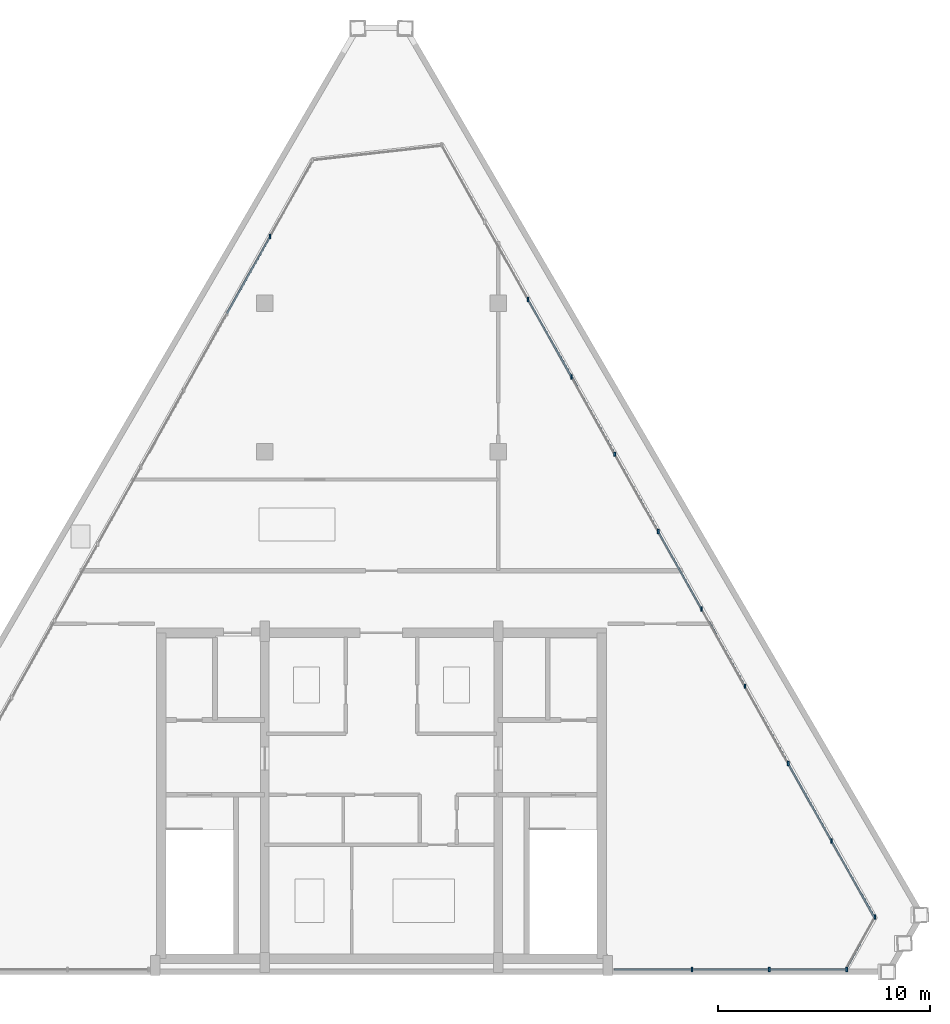
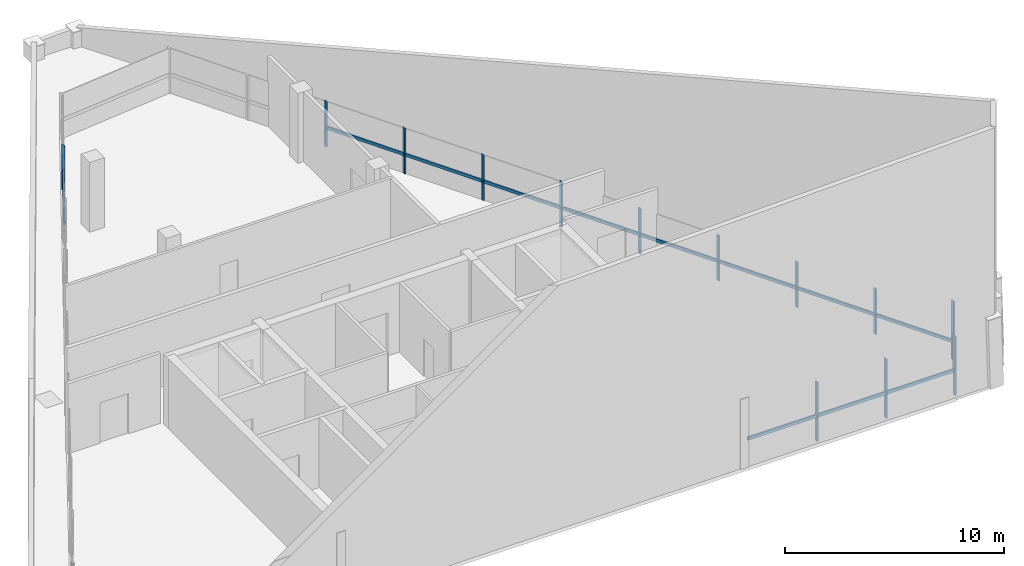
# One storey, part 3 of 8: 26 members, 4 elements without a shape of their own.
"""IFC4 building model written with IfcOpenShell, lengths in metres."""

from ifc_helpers import new_model, si_unit, direction, frame, origin, origin_2d, place, context, subcontext, project, spatial, rectangle, extrude, source, transform, mapped, material, material_profile, profile_set, type_object, element, aggregate, save


model = new_model("IFC4")

# Units and contexts
model_context = context("Model", 3, precision=1e-05, world=origin(), true_north=direction((0.0, 1.0)))
body_context = subcontext(model_context, "Body", "Model", "MODEL_VIEW")
ifc_project = project(units=[si_unit("LENGTHUNIT", "METRE"), si_unit("AREAUNIT", "SQUARE_METRE"), si_unit("VOLUMEUNIT", "CUBIC_METRE"), si_unit("PLANEANGLEUNIT", "RADIAN"), si_unit("MASSUNIT", "GRAM", prefix="KILO")], contexts=[model_context])

# Site, building, storey
site_placement = place(None, origin())
site = spatial("IfcSite", under=ifc_project, at=site_placement, CompositionType="ELEMENT")
building_placement = place(site_placement, origin())
building = spatial("IfcBuilding", under=site, at=building_placement, Name="Varnakhor Terracotta Tower", CompositionType="ELEMENT")
storey_placement = place(building_placement, frame((0.0, 0.0, 329.199951171875)))
storey = spatial("IfcBuildingStorey", under=building, at=storey_placement, Name="L86 Crown", CompositionType="ELEMENT", Elevation=329.199951171875)

# Curtain wall, member
ifc_material_1 = material(Name="Anodised Aluminium Curtain Wall System", Category="aluminium")
curtain_wall_type = type_object("IfcCurtainWallType", Name="CW-SYS-CROWN", PredefinedType="NOTDEFINED", material=ifc_material_1)
curtain_wall_1_placement = place(storey_placement, origin())
curtain_wall_1 = element("IfcCurtainWall", 1, at=curtain_wall_1_placement, inside=storey, type_object=curtain_wall_type, Name="L86 Crown Facet Curtain Wall 1", PredefinedType="NOTDEFINED")
ifc_material_2 = material(Name="Anodised Aluminium 6063-T6", Category="aluminium")
ifc_material_profile_1 = material_profile(ifc_material_2, rectangle(XDim=0.080078125, YDim=0.205078125, at=origin_2d()), Name="ALU MULLION 80x205")
ifc_profile_set_1 = profile_set([ifc_material_profile_1], Name="Anodised Aluminium 6063-T6")
member_type_1 = type_object("IfcMemberType", Name="CWM-06", PredefinedType="MULLION", material=ifc_profile_set_1)
shared_shape_1 = source(origin(), body_context, "Body", "SweptSolid", [
    extrude(rectangle(XDim=0.080078125, YDim=0.205078125, at=origin_2d()), origin(), (0.0, 0.0, 1.0), 3.280029296875),
])
member_1_placement = place(storey_placement, frame((23.241943359375, 2.587646484375, 0.0), z_axis=(0.0, 0.0, 1.0), x_axis=(1.0, 0.0, 0.0)))
member_1 = element("IfcMember", 2, at=member_1_placement, type_object=member_type_1, Name="L86 Crown Facet Curtain Wall 1 Mullion 1", PredefinedType="MULLION", context=body_context, shape_type="MappedRepresentation", body=[
    mapped(shared_shape_1, transform((0.0, 0.0, 0.0), scale=1.0)),
])

# Curtain wall, members
curtain_wall_2_placement = place(storey_placement, origin())
curtain_wall_2 = element("IfcCurtainWall", 3, at=curtain_wall_2_placement, inside=storey, type_object=curtain_wall_type, Name="L86 Crown South Wing Curtain Wall SSE", PredefinedType="NOTDEFINED")
member_2_placement = place(storey_placement, frame((21.91943359375, 0.1201171875, 0.0), z_axis=(0.0, 0.0, 1.0), x_axis=(1.0, 0.0, 0.0)))
member_2 = element("IfcMember", 4, at=member_2_placement, type_object=member_type_1, Name="L86 Crown South Wing Curtain Wall SSE Mullion 1", PredefinedType="MULLION", context=body_context, shape_type="MappedRepresentation", body=[
    mapped(shared_shape_1, transform((0.0, 0.0, 0.0), scale=1.0)),
])
member_3_placement = place(storey_placement, frame((18.269775390625, 0.1201171875, 0.0), z_axis=(0.0, 0.0, 1.0), x_axis=(1.0, 0.0, 0.0)))
member_3 = element("IfcMember", 5, at=member_3_placement, type_object=member_type_1, Name="L86 Crown South Wing Curtain Wall SSE Mullion 2", PredefinedType="MULLION", context=body_context, shape_type="MappedRepresentation", body=[
    mapped(shared_shape_1, transform((0.0, 0.0, 0.0), scale=1.0)),
])
member_4_placement = place(storey_placement, frame((14.619873046875, 0.1201171875, 0.0), z_axis=(0.0, 0.0, 1.0), x_axis=(1.0, 0.0, 0.0)))
member_4 = element("IfcMember", 6, at=member_4_placement, type_object=member_type_1, Name="L86 Crown South Wing Curtain Wall SSE Mullion 3", PredefinedType="MULLION", context=body_context, shape_type="MappedRepresentation", body=[
    mapped(shared_shape_1, transform((0.0, 0.0, 0.0), scale=1.0)),
])

# Member
ifc_material_profile_2 = material_profile(ifc_material_2, rectangle(XDim=0.080078125, YDim=0.179931640625, at=origin_2d()), Name="ALU TRANSOM 80x180")
ifc_profile_set_2 = profile_set([ifc_material_profile_2], Name="Anodised Aluminium 6063-T6")
member_type_2 = type_object("IfcMemberType", Name="CWT-06", PredefinedType="USERDEFINED", material=ifc_profile_set_2)
shared_shape_2 = source(origin(), body_context, "Body", "SweptSolid", [
    extrude(rectangle(XDim=0.080078125, YDim=0.179931640625, at=origin_2d()), origin(), (0.0, 0.0, 1.0), 2.868896484375),
])
member_5_placement = place(storey_placement, frame((23.241943359375, 2.587646484375, 1.377685546875), z_axis=(-0.488789925765, -0.872401517921, 0.0), x_axis=(0.872401517921, -0.488789925765, 0.0)))
member_5 = element("IfcMember", 7, at=member_5_placement, type_object=member_type_2, Name="L86 Crown Facet Curtain Wall 1 Transom 1", ObjectType="TRANSOM", PredefinedType="USERDEFINED", context=body_context, shape_type="MappedRepresentation", body=[
    mapped(shared_shape_2, transform((0.0, 0.0, 0.0), scale=1.0)),
])

aggregate(curtain_wall_1, [member_1, member_5])

shared_shape_3 = source(origin(), body_context, "Body", "SweptSolid", [
    extrude(rectangle(XDim=0.080078125, YDim=0.179931640625, at=origin_2d()), origin(), (0.0, 0.0, 1.0), 3.649658203125),
])
member_6_placement = place(storey_placement, frame((21.91943359375, 0.1201171875, 1.377685546875), z_axis=(-1.0, 0.0, 0.0), x_axis=(0.0, -1.0, 0.0)))
member_6 = element("IfcMember", 8, at=member_6_placement, type_object=member_type_2, Name="L86 Crown South Wing Curtain Wall SSE Transom 1", ObjectType="TRANSOM", PredefinedType="USERDEFINED", context=body_context, shape_type="MappedRepresentation", body=[
    mapped(shared_shape_3, transform((0.0, 0.0, 0.0), scale=1.0)),
])

shared_shape_4 = source(origin(), body_context, "Body", "SweptSolid", [
    extrude(rectangle(XDim=0.080078125, YDim=0.179931640625, at=origin_2d()), origin(), (0.0, 0.0, 1.0), 3.64990234375),
])
member_7_placement = place(storey_placement, frame((18.269775390625, 0.1201171875, 1.377685546875), z_axis=(-1.0, 0.0, 0.0), x_axis=(0.0, -1.0, 0.0)))
member_7 = element("IfcMember", 9, at=member_7_placement, type_object=member_type_2, Name="L86 Crown South Wing Curtain Wall SSE Transom 2", ObjectType="TRANSOM", PredefinedType="USERDEFINED", context=body_context, shape_type="MappedRepresentation", body=[
    mapped(shared_shape_4, transform((0.0, 0.0, 0.0), scale=1.0)),
])

member_8_placement = place(storey_placement, frame((14.619873046875, 0.1201171875, 1.377685546875), z_axis=(-1.0, 0.0, 0.0), x_axis=(0.0, -1.0, 0.0)))
member_8 = element("IfcMember", 10, at=member_8_placement, type_object=member_type_2, Name="L86 Crown South Wing Curtain Wall SSE Transom 3", ObjectType="TRANSOM", PredefinedType="USERDEFINED", context=body_context, shape_type="MappedRepresentation", body=[
    mapped(shared_shape_4, transform((0.0, 0.0, 0.0), scale=1.0)),
])

aggregate(curtain_wall_2, [member_2, member_6, member_3, member_7, member_4, member_8])

# Curtain wall, member
curtain_wall_3_placement = place(storey_placement, origin())
curtain_wall_3 = element("IfcCurtainWall", 11, at=curtain_wall_3_placement, inside=storey, type_object=curtain_wall_type, Name="L86 Crown Facet Curtain Wall 4", PredefinedType="NOTDEFINED")
shared_shape_5 = source(origin(), body_context, "Body", "SweptSolid", [
    extrude(rectangle(XDim=0.080078125, YDim=0.205078125, at=origin_2d()), origin(), (0.0, 0.0, 1.0), 2.510009765625),
])
member_9_placement = place(storey_placement, frame((-5.24365234375, 34.640625, 0.0), z_axis=(0.0, 0.0, 1.0), x_axis=(1.0, 0.0, 0.0)))
member_9 = element("IfcMember", 12, at=member_9_placement, type_object=member_type_1, Name="L86 Crown Facet Curtain Wall 4 Mullion 10", PredefinedType="MULLION", context=body_context, shape_type="MappedRepresentation", body=[
    mapped(shared_shape_5, transform((0.0, 0.0, 0.0), scale=1.0)),
])

# Curtain wall, members
curtain_wall_4_placement = place(storey_placement, origin())
curtain_wall_4 = element("IfcCurtainWall", 13, at=curtain_wall_4_placement, inside=storey, type_object=curtain_wall_type, Name="L86 Crown Facet Curtain Wall 6", PredefinedType="NOTDEFINED")
member_10_placement = place(storey_placement, frame((6.9072265625, 31.671875, 0.0), z_axis=(0.0, 0.0, 1.0), x_axis=(1.0, 0.0, 0.0)))
member_10 = element("IfcMember", 14, at=member_10_placement, type_object=member_type_1, Name="L86 Crown Facet Curtain Wall 6 Mullion 3", PredefinedType="MULLION", context=body_context, shape_type="MappedRepresentation", body=[
    mapped(shared_shape_5, transform((0.0, 0.0, 0.0), scale=1.0)),
])
member_11_placement = place(storey_placement, frame((8.94921875, 28.0283203125, 0.0), z_axis=(0.0, 0.0, 1.0), x_axis=(1.0, 0.0, 0.0)))
member_11 = element("IfcMember", 15, at=member_11_placement, type_object=member_type_1, Name="L86 Crown Facet Curtain Wall 6 Mullion 4", PredefinedType="MULLION", context=body_context, shape_type="MappedRepresentation", body=[
    mapped(shared_shape_5, transform((0.0, 0.0, 0.0), scale=1.0)),
])
member_12_placement = place(storey_placement, frame((10.990966796875, 24.384521484375, 0.0), z_axis=(0.0, 0.0, 1.0), x_axis=(1.0, 0.0, 0.0)))
member_12 = element("IfcMember", 16, at=member_12_placement, type_object=member_type_1, Name="L86 Crown Facet Curtain Wall 6 Mullion 5", PredefinedType="MULLION", context=body_context, shape_type="MappedRepresentation", body=[
    mapped(shared_shape_5, transform((0.0, 0.0, 0.0), scale=1.0)),
])
member_13_placement = place(storey_placement, frame((13.03271484375, 20.740966796875, 0.0), z_axis=(0.0, 0.0, 1.0), x_axis=(1.0, 0.0, 0.0)))
member_13 = element("IfcMember", 17, at=member_13_placement, type_object=member_type_1, Name="L86 Crown Facet Curtain Wall 6 Mullion 6", PredefinedType="MULLION", context=body_context, shape_type="MappedRepresentation", body=[
    mapped(shared_shape_5, transform((0.0, 0.0, 0.0), scale=1.0)),
])
member_14_placement = place(storey_placement, frame((15.07470703125, 17.09716796875, 0.0), z_axis=(0.0, 0.0, 1.0), x_axis=(1.0, 0.0, 0.0)))
member_14 = element("IfcMember", 18, at=member_14_placement, type_object=member_type_1, Name="L86 Crown Facet Curtain Wall 6 Mullion 7", PredefinedType="MULLION", context=body_context, shape_type="MappedRepresentation", body=[
    mapped(shared_shape_5, transform((0.0, 0.0, 0.0), scale=1.0)),
])
member_15_placement = place(storey_placement, frame((17.116455078125, 13.45361328125, 0.0), z_axis=(0.0, 0.0, 1.0), x_axis=(1.0, 0.0, 0.0)))
member_15 = element("IfcMember", 19, at=member_15_placement, type_object=member_type_1, Name="L86 Crown Facet Curtain Wall 6 Mullion 8", PredefinedType="MULLION", context=body_context, shape_type="MappedRepresentation", body=[
    mapped(shared_shape_5, transform((0.0, 0.0, 0.0), scale=1.0)),
])
member_16_placement = place(storey_placement, frame((19.158203125, 9.809814453125, 0.0), z_axis=(0.0, 0.0, 1.0), x_axis=(1.0, 0.0, 0.0)))
member_16 = element("IfcMember", 20, at=member_16_placement, type_object=member_type_1, Name="L86 Crown Facet Curtain Wall 6 Mullion 9", PredefinedType="MULLION", context=body_context, shape_type="MappedRepresentation", body=[
    mapped(shared_shape_5, transform((0.0, 0.0, 0.0), scale=1.0)),
])
member_17_placement = place(storey_placement, frame((21.2001953125, 6.166259765625, 0.0), z_axis=(0.0, 0.0, 1.0), x_axis=(1.0, 0.0, 0.0)))
member_17 = element("IfcMember", 21, at=member_17_placement, type_object=member_type_1, Name="L86 Crown Facet Curtain Wall 6 Mullion 10", PredefinedType="MULLION", context=body_context, shape_type="MappedRepresentation", body=[
    mapped(shared_shape_5, transform((0.0, 0.0, 0.0), scale=1.0)),
])

# Member
shared_shape_6 = source(origin(), body_context, "Body", "SweptSolid", [
    extrude(rectangle(XDim=0.080078125, YDim=0.179931640625, at=origin_2d()), origin(), (0.0, 0.0, 1.0), 4.14990234375),
])
member_18_placement = place(storey_placement, frame((-7.2724609375, 31.0205078125, 1.05419921875), z_axis=(0.488886391725, 0.872347462876, 0.0), x_axis=(-0.872347462876, 0.488886391725, 0.0)))
member_18 = element("IfcMember", 22, at=member_18_placement, type_object=member_type_2, Name="L86 Crown Facet Curtain Wall 4 Transom 9", ObjectType="TRANSOM", PredefinedType="USERDEFINED", context=body_context, shape_type="MappedRepresentation", body=[
    mapped(shared_shape_6, transform((0.0, 0.0, 0.0), scale=1.0)),
])

aggregate(curtain_wall_3, [member_18, member_9])

shared_shape_7 = source(origin(), body_context, "Body", "SweptSolid", [
    extrude(rectangle(XDim=0.080078125, YDim=0.179931640625, at=origin_2d()), origin(), (0.0, 0.0, 1.0), 4.177001953125),
])
member_19_placement = place(storey_placement, frame((13.03271484375, 20.740966796875, 1.05419921875), z_axis=(0.488870319314, -0.872356470082, 0.0), x_axis=(0.872356470082, 0.488870319314, 0.0)))
member_19 = element("IfcMember", 23, at=member_19_placement, type_object=member_type_2, Name="L86 Crown Facet Curtain Wall 6 Transom 6", ObjectType="TRANSOM", PredefinedType="USERDEFINED", context=body_context, shape_type="MappedRepresentation", body=[
    mapped(shared_shape_7, transform((0.0, 0.0, 0.0), scale=1.0)),
])

shared_shape_8 = source(origin(), body_context, "Body", "SweptSolid", [
    extrude(rectangle(XDim=0.080078125, YDim=0.179931640625, at=origin_2d()), origin(), (0.0, 0.0, 1.0), 4.176513671875),
])
member_20_placement = place(storey_placement, frame((10.990966796875, 24.384521484375, 1.05419921875), z_axis=(0.488850764189, -0.872367428525, 0.0), x_axis=(0.872367428525, 0.488850764189, 0.0)))
member_20 = element("IfcMember", 24, at=member_20_placement, type_object=member_type_2, Name="L86 Crown Facet Curtain Wall 6 Transom 5", ObjectType="TRANSOM", PredefinedType="USERDEFINED", context=body_context, shape_type="MappedRepresentation", body=[
    mapped(shared_shape_8, transform((0.0, 0.0, 0.0), scale=1.0)),
])

member_21_placement = place(storey_placement, frame((15.07470703125, 17.09716796875, 1.05419921875), z_axis=(0.488850764189, -0.872367428525, 0.0), x_axis=(0.872367428525, 0.488850764189, 0.0)))
member_21 = element("IfcMember", 25, at=member_21_placement, type_object=member_type_2, Name="L86 Crown Facet Curtain Wall 6 Transom 7", ObjectType="TRANSOM", PredefinedType="USERDEFINED", context=body_context, shape_type="MappedRepresentation", body=[
    mapped(shared_shape_8, transform((0.0, 0.0, 0.0), scale=1.0)),
])

member_22_placement = place(storey_placement, frame((21.2001953125, 6.166259765625, 1.05419921875), z_axis=(0.488850764189, -0.872367428525, 0.0), x_axis=(0.872367428525, 0.488850764189, 0.0)))
member_22 = element("IfcMember", 26, at=member_22_placement, type_object=member_type_2, Name="L86 Crown Facet Curtain Wall 6 Transom 10", ObjectType="TRANSOM", PredefinedType="USERDEFINED", context=body_context, shape_type="MappedRepresentation", body=[
    mapped(shared_shape_8, transform((0.0, 0.0, 0.0), scale=1.0)),
])

shared_shape_9 = source(origin(), body_context, "Body", "SweptSolid", [
    extrude(rectangle(XDim=0.080078125, YDim=0.179931640625, at=origin_2d()), origin(), (0.0, 0.0, 1.0), 4.1767578125),
])
member_23_placement = place(storey_placement, frame((6.9072265625, 31.671875, 1.05419921875), z_axis=(0.48889524723, -0.87234249996, 0.0), x_axis=(0.87234249996, 0.48889524723, 0.0)))
member_23 = element("IfcMember", 27, at=member_23_placement, type_object=member_type_2, Name="L86 Crown Facet Curtain Wall 6 Transom 3", ObjectType="TRANSOM", PredefinedType="USERDEFINED", context=body_context, shape_type="MappedRepresentation", body=[
    mapped(shared_shape_9, transform((0.0, 0.0, 0.0), scale=1.0)),
])

member_24_placement = place(storey_placement, frame((8.94921875, 28.0283203125, 1.05419921875), z_axis=(0.488825837117, -0.872381396504, 0.0), x_axis=(0.872381396504, 0.488825837117, 0.0)))
member_24 = element("IfcMember", 28, at=member_24_placement, type_object=member_type_2, Name="L86 Crown Facet Curtain Wall 6 Transom 4", ObjectType="TRANSOM", PredefinedType="USERDEFINED", context=body_context, shape_type="MappedRepresentation", body=[
    mapped(shared_shape_9, transform((0.0, 0.0, 0.0), scale=1.0)),
])

member_25_placement = place(storey_placement, frame((17.116455078125, 13.45361328125, 1.05419921875), z_axis=(0.488825837117, -0.872381396504, 0.0), x_axis=(0.872381396504, 0.488825837117, 0.0)))
member_25 = element("IfcMember", 29, at=member_25_placement, type_object=member_type_2, Name="L86 Crown Facet Curtain Wall 6 Transom 8", ObjectType="TRANSOM", PredefinedType="USERDEFINED", context=body_context, shape_type="MappedRepresentation", body=[
    mapped(shared_shape_9, transform((0.0, 0.0, 0.0), scale=1.0)),
])

member_26_placement = place(storey_placement, frame((19.158203125, 9.809814453125, 1.05419921875), z_axis=(0.48889524723, -0.87234249996, 0.0), x_axis=(0.87234249996, 0.48889524723, 0.0)))
member_26 = element("IfcMember", 30, at=member_26_placement, type_object=member_type_2, Name="L86 Crown Facet Curtain Wall 6 Transom 9", ObjectType="TRANSOM", PredefinedType="USERDEFINED", context=body_context, shape_type="MappedRepresentation", body=[
    mapped(shared_shape_9, transform((0.0, 0.0, 0.0), scale=1.0)),
])

aggregate(curtain_wall_4, [member_10, member_23, member_11, member_24, member_12, member_20, member_13, member_19, member_14, member_21, member_15, member_25, member_16, member_26, member_17, member_22])

save(model, "model.ifc")
